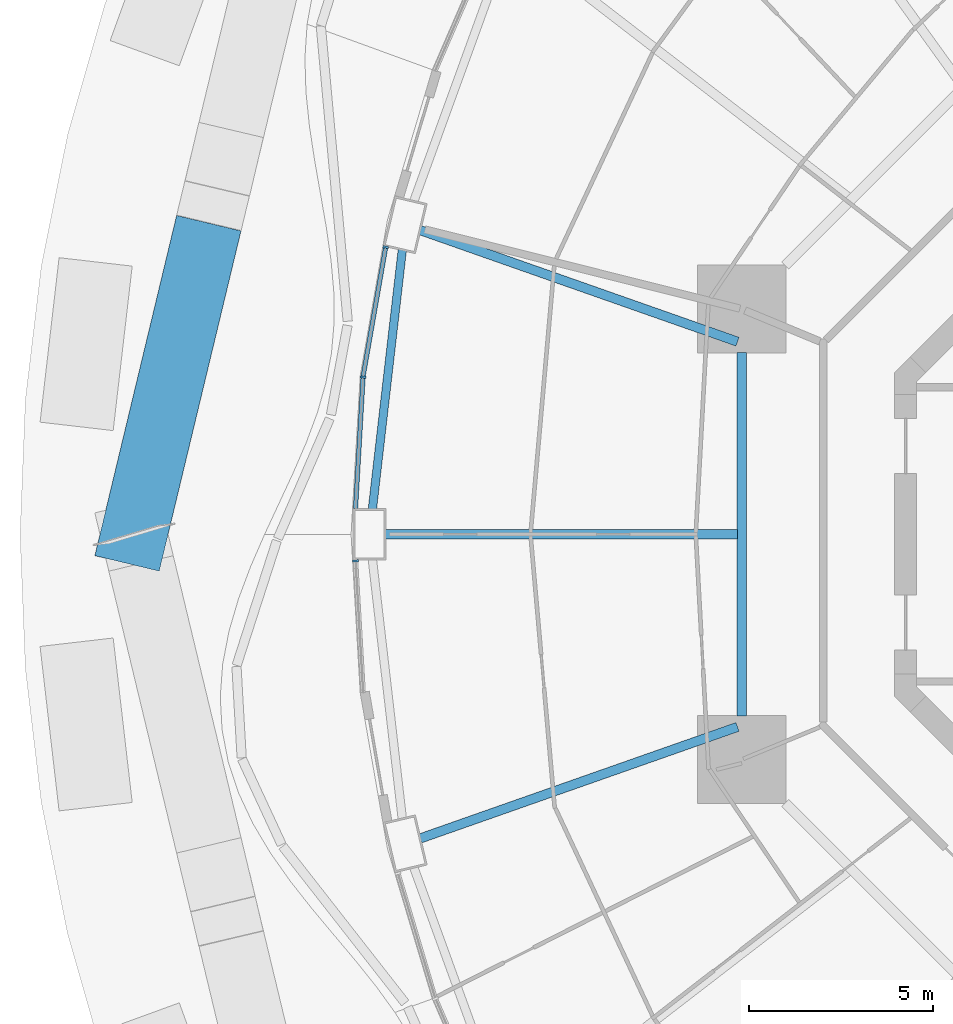
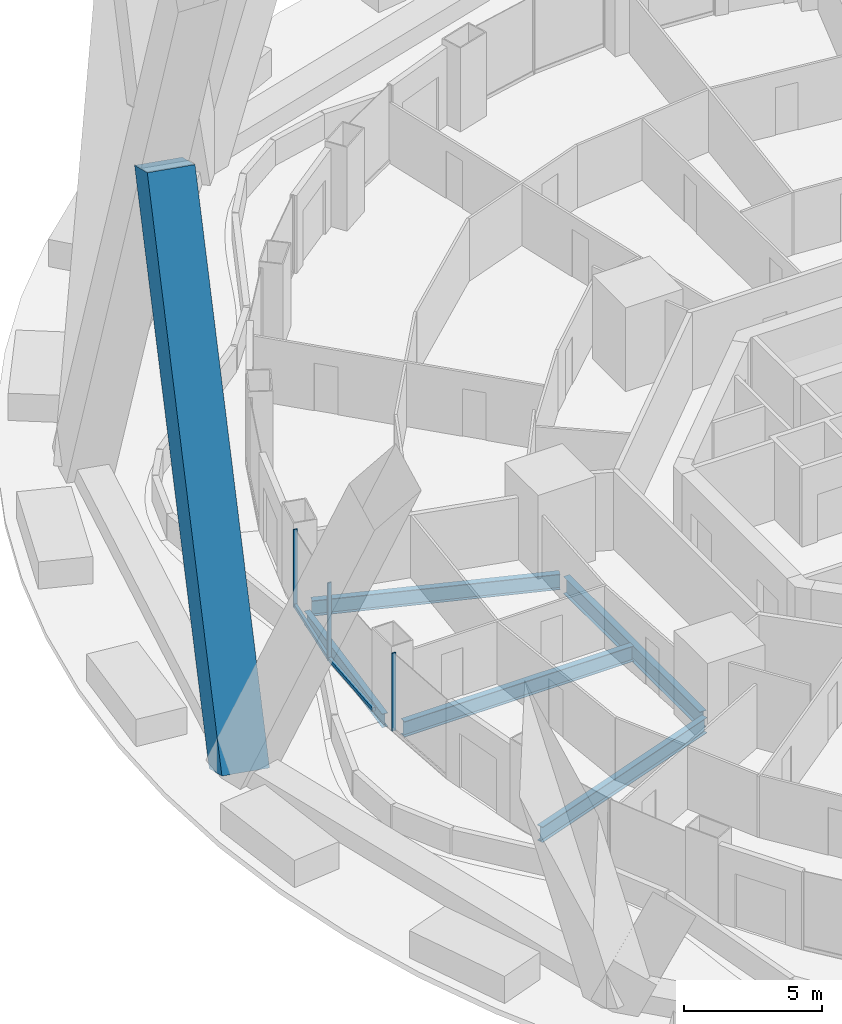
# One storey, part 17 of 42: 6 members, 5 beams, 3 elements without a shape of their own.
"""IFC4 building model written with IfcOpenShell, lengths in metres."""

from ifc_helpers import new_model, si_unit, direction, frame, origin, origin_2d, place, context, subcontext, project, spatial, rectangle, i_section, extrude, material, layer, layer_set, material_profile, profile_set, type_object, element, aggregate, save


model = new_model("IFC4")

# Units and contexts
model_context = context("Model", 3, precision=1e-05, world=origin(), true_north=direction((0.0, 1.0)))
body_context = subcontext(model_context, "Body", "Model", "MODEL_VIEW")
ifc_project = project(units=[si_unit("LENGTHUNIT", "METRE"), si_unit("AREAUNIT", "SQUARE_METRE"), si_unit("VOLUMEUNIT", "CUBIC_METRE"), si_unit("PLANEANGLEUNIT", "RADIAN"), si_unit("MASSUNIT", "GRAM", prefix="KILO")], contexts=[model_context])

# Site, building, storey
site_placement = place(None, origin())
site = spatial("IfcSite", under=ifc_project, at=site_placement, CompositionType="ELEMENT")
building_placement = place(site_placement, origin())
building = spatial("IfcBuilding", under=site, at=building_placement, Name="Nagisa Residences", CompositionType="ELEMENT")
storey_placement = place(building_placement, frame((0.0, 0.0, 27.0)))
storey = spatial("IfcBuildingStorey", under=building, at=storey_placement, Name="L05", CompositionType="ELEMENT", Elevation=27.0)

# Curtain wall, member
ifc_material_1 = material(Name="Concrete-coloured aluminium curtain wall system", Category="concrete")
ifc_layer = layer(ifc_material_1, 0.159912109375)
ifc_layer_set = layer_set([ifc_layer], Name="CW1 CURTAIN WALL")
curtain_wall_type = type_object("IfcCurtainWallType", Name="CW1 CURTAIN WALL", PredefinedType="NOTDEFINED", material=ifc_layer_set)
curtain_wall_1_placement = place(storey_placement, origin())
curtain_wall_1 = element("IfcCurtainWall", 1, at=curtain_wall_1_placement, inside=storey, type_object=curtain_wall_type, Name="cw:CW1:L05:22", PredefinedType="NOTDEFINED")
ifc_material_2 = material(Name="Concrete-coloured aluminium", Category="concrete")
ifc_material_profile_1 = material_profile(ifc_material_2, rectangle(XDim=0.159912109375, YDim=0.06005859375, at=origin_2d()), Name="CW1 MULLION 160x60")
ifc_profile_set_1 = profile_set([ifc_material_profile_1], Name="Concrete-coloured aluminium")
member_type_1 = type_object("IfcMemberType", Name="CW1 MULLION 160x60", PredefinedType="MULLION", material=ifc_profile_set_1)
member_1_placement = place(storey_placement, frame((-24.458740234375, 7.80810546875, 0.0), z_axis=(0.0, 0.0, 1.0), x_axis=(0.985063604377, -0.172190868898, 0.0)))
member_1 = element("IfcMember", 2, at=member_1_placement, type_object=member_type_1, Name="CW1 mullion", PredefinedType="MULLION", context=body_context, shape_type="SweptSolid", body=[
    extrude(rectangle(XDim=0.159912109375, YDim=0.06005859375, at=origin_2d()), origin(), (0.0, 0.0, 1.0), 3.43994140625),
])

curtain_wall_2_placement = place(storey_placement, origin())
curtain_wall_2 = element("IfcCurtainWall", 3, at=curtain_wall_2_placement, inside=storey, type_object=curtain_wall_type, Name="cw:CW1:L05:23", PredefinedType="NOTDEFINED")
member_2_placement = place(storey_placement, frame((-25.07373046875, 4.272705078125, 0.0), z_axis=(0.0, 0.0, 1.0), x_axis=(0.998345305184, -0.057503492216, 0.0)))
member_2 = element("IfcMember", 4, at=member_2_placement, type_object=member_type_1, Name="CW1 mullion", PredefinedType="MULLION", context=body_context, shape_type="SweptSolid", body=[
    extrude(rectangle(XDim=0.159912109375, YDim=0.06005859375, at=origin_2d()), origin(), (0.0, 0.0, 1.0), 3.43994140625),
])

curtain_wall_3_placement = place(storey_placement, origin())
curtain_wall_3 = element("IfcCurtainWall", 5, at=curtain_wall_3_placement, inside=storey, type_object=curtain_wall_type, Name="cw:CW1:L05:24", PredefinedType="NOTDEFINED")
member_3_placement = place(storey_placement, frame((-25.278076171875, -0.72412109375, 0.0), z_axis=(0.0, 0.0, 1.0), x_axis=(0.998345305184, 0.057503492216, 0.0)))
member_3 = element("IfcMember", 6, at=member_3_placement, type_object=member_type_1, Name="CW1 mullion", PredefinedType="MULLION", context=body_context, shape_type="SweptSolid", body=[
    extrude(rectangle(XDim=0.159912109375, YDim=0.06005859375, at=origin_2d()), origin(), (0.0, 0.0, 1.0), 3.43994140625),
])
aggregate(curtain_wall_3, [member_3])

# Member
ifc_material_3 = material(Name="Concrete-coloured aluminium", Category="concrete")
ifc_material_profile_2 = material_profile(ifc_material_3, rectangle(XDim=0.1201171875, YDim=0.14990234375, at=origin_2d()), Name="CW1 TRANSOM 120x150")
ifc_profile_set_2 = profile_set([ifc_material_profile_2], Name="Concrete-coloured aluminium")
member_type_2 = type_object("IfcMemberType", Name="CW1 TRANSOM 120x150", PredefinedType="USERDEFINED", material=ifc_profile_set_2)
member_4_placement = place(storey_placement, frame((-24.45361328125, 7.837646484375, 0.074951171875), z_axis=(-0.172163041068, -0.985068468326, 0.0), x_axis=(0.985068468326, -0.172163041068, 0.0)))
member_4 = element("IfcMember", 7, at=member_4_placement, type_object=member_type_2, Name="CW1 transom", ObjectType="TRANSOM", PredefinedType="USERDEFINED", context=body_context, shape_type="SweptSolid", body=[
    extrude(rectangle(XDim=0.1201171875, YDim=0.14990234375, at=origin_2d()), origin(), (0.0, 0.0, 1.0), 3.59765625),
])

aggregate(curtain_wall_1, [member_1, member_4])

member_5_placement = place(storey_placement, frame((-25.072021484375, 4.302734375, 0.074951171875), z_axis=(-0.057482603412, -0.998346508135, 0.0), x_axis=(0.998346508135, -0.057482603412, 0.0)))
member_5 = element("IfcMember", 8, at=member_5_placement, type_object=member_type_2, Name="CW1 transom", ObjectType="TRANSOM", PredefinedType="USERDEFINED", context=body_context, shape_type="SweptSolid", body=[
    extrude(rectangle(XDim=0.1201171875, YDim=0.14990234375, at=origin_2d()), origin(), (0.0, 0.0, 1.0), 3.6142578125),
])

aggregate(curtain_wall_2, [member_2, member_5])

ifc_material_4 = material(Name="Concrete C80", Category="concrete")
ifc_material_profile_3 = material_profile(ifc_material_4, rectangle(XDim=1.800048828125, YDim=1.800048828125, at=origin_2d()), Name="C80 1800x1800")
ifc_profile_set_3 = profile_set([ifc_material_profile_3], Name="Concrete C80")
member_type_3 = type_object("IfcMemberType", Name="Cage diagonal 1 C80 1800x1800", PredefinedType="BRACE", material=ifc_profile_set_3)
member_6_placement = place(storey_placement, frame((-31.300048828125, 0.0, 0.0), z_axis=(0.099349024281, 0.413277978915, 0.905169091119), x_axis=(-0.972300580352, 0.233733997198, 0.0)))
element("IfcMember", 9, at=member_6_placement, inside=storey, type_object=member_type_3, Name="mem:L05:cg1d112a", PredefinedType="BRACE", context=body_context, shape_type="SweptSolid", body=[
    extrude(rectangle(XDim=1.800048828125, YDim=1.800048828125, at=origin_2d()), origin(), (0.0, 0.0, 1.0), 22.382080078125),
])

# Beams
ifc_material_5 = material(Name="Steel ASTM A572 Gr 50", Category="steel")
ifc_material_profile_4 = material_profile(ifc_material_5, i_section(OverallWidth=0.264892578125, OverallDepth=0.7529296875, WebThickness=0.01318359375, FlangeThickness=0.01708984375, at=origin_2d()), Name="W760x147")
ifc_profile_set_4 = profile_set([ifc_material_profile_4], Name="Steel ASTM A572 Gr 50")
beam_type_1 = type_object("IfcBeamType", Name="Inner ring beam W760x147", PredefinedType="BEAM", material=ifc_profile_set_4)
beam_1_placement = place(storey_placement, frame((-14.781982421875, 4.94287109375, -0.636474609375), z_axis=(0.0, -1.0, 0.0), x_axis=(1.0, 0.0, 0.0)))
element("IfcBeam", 10, at=beam_1_placement, inside=storey, type_object=beam_type_1, Name="beam:L05:ib4", PredefinedType="BEAM", context=body_context, shape_type="SweptSolid", body=[
    extrude(i_section(OverallWidth=0.264892578125, OverallDepth=0.7529296875, WebThickness=0.01318359375, FlangeThickness=0.01708984375, at=origin_2d()), origin(), (0.0, 0.0, 1.0), 9.8857421875),
])
ifc_material_6 = material(Name="Steel ASTM A572 Gr 50", Category="steel")
ifc_material_profile_5 = material_profile(ifc_material_6, i_section(OverallWidth=0.22802734375, OverallDepth=0.60302734375, WebThickness=0.010498046875, FlangeThickness=0.014892578125, at=origin_2d()), Name="W610x101")
ifc_profile_set_5 = profile_set([ifc_material_profile_5], Name="Steel ASTM A572 Gr 50")
beam_type_2 = type_object("IfcBeamType", Name="Perimeter ring beam W610x101", PredefinedType="BEAM", material=ifc_profile_set_5)
beam_2_placement = place(storey_placement, frame((-24.00732421875, 7.7314453125, -0.5615234375), z_axis=(-0.114707660057, -0.993399291687, 0.0), x_axis=(0.993399291687, -0.114707660057, 0.0)))
element("IfcBeam", 11, at=beam_2_placement, inside=storey, type_object=beam_type_2, Name="beam:L05:pb12", PredefinedType="BEAM", context=body_context, shape_type="SweptSolid", body=[
    extrude(i_section(OverallWidth=0.22802734375, OverallDepth=0.60302734375, WebThickness=0.010498046875, FlangeThickness=0.014892578125, at=origin_2d()), origin(), (0.0, 0.0, 1.0), 7.09814453125),
])
ifc_material_7 = material(Name="Steel ASTM A572 Gr 50", Category="steel")
ifc_material_profile_6 = material_profile(ifc_material_7, i_section(OverallWidth=0.25390625, OverallDepth=0.68408203125, WebThickness=0.012451171875, FlangeThickness=0.018798828125, at=origin_2d()), Name="W690x140")
ifc_profile_set_6 = profile_set([ifc_material_profile_6], Name="Steel ASTM A572 Gr 50")
beam_type_3 = type_object("IfcBeamType", Name="Radial beam W690x140", PredefinedType="BEAM", material=ifc_profile_set_6)
beam_3_placement = place(storey_placement, frame((-23.520751953125, 8.26806640625, -0.60205078125), z_axis=(0.943414535235, -0.331615763659, 0.0), x_axis=(0.331615763659, 0.943414535235, 0.0)))
element("IfcBeam", 12, at=beam_3_placement, inside=storey, type_object=beam_type_3, Name="beam:L05:rb12", PredefinedType="BEAM", context=body_context, shape_type="SweptSolid", body=[
    extrude(i_section(OverallWidth=0.25390625, OverallDepth=0.68408203125, WebThickness=0.012451171875, FlangeThickness=0.018798828125, at=origin_2d()), origin(), (0.0, 0.0, 1.0), 9.142333984375),
])
beam_4_placement = place(storey_placement, frame((-24.469970703125, 0.0, -0.60205078125), z_axis=(1.0, 0.0, 0.0), x_axis=(0.0, 1.0, 0.0)))
element("IfcBeam", 13, at=beam_4_placement, inside=storey, type_object=beam_type_3, Name="beam:L05:rb13", PredefinedType="BEAM", context=body_context, shape_type="SweptSolid", body=[
    extrude(i_section(OverallWidth=0.25390625, OverallDepth=0.68408203125, WebThickness=0.012451171875, FlangeThickness=0.018798828125, at=origin_2d()), origin(), (0.0, 0.0, 1.0), 9.575439453125),
])
beam_5_placement = place(storey_placement, frame((-23.520751953125, -8.26806640625, -0.60205078125), z_axis=(0.943414535235, 0.331615763659, 0.0), x_axis=(-0.331615763659, 0.943414535235, 0.0)))
element("IfcBeam", 14, at=beam_5_placement, inside=storey, type_object=beam_type_3, Name="beam:L05:rb14", PredefinedType="BEAM", context=body_context, shape_type="SweptSolid", body=[
    extrude(i_section(OverallWidth=0.25390625, OverallDepth=0.68408203125, WebThickness=0.012451171875, FlangeThickness=0.018798828125, at=origin_2d()), origin(), (0.0, 0.0, 1.0), 9.142333984375),
])

save(model, "model.ifc")
